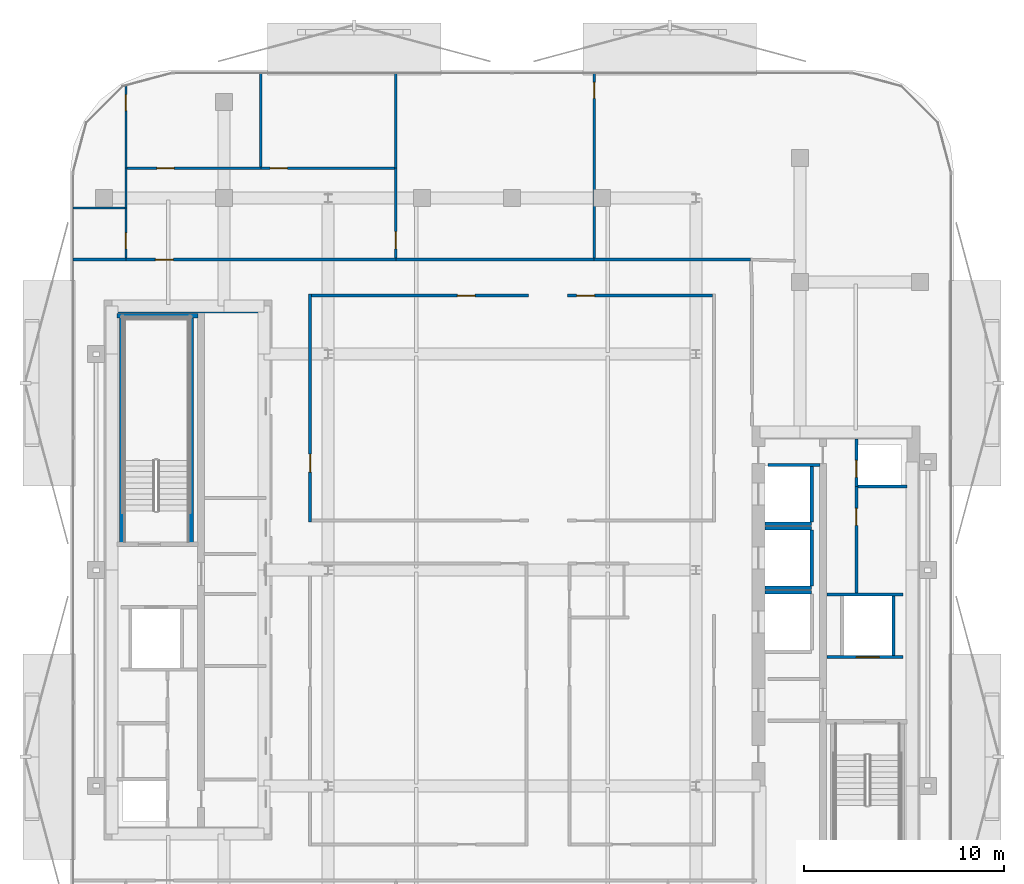
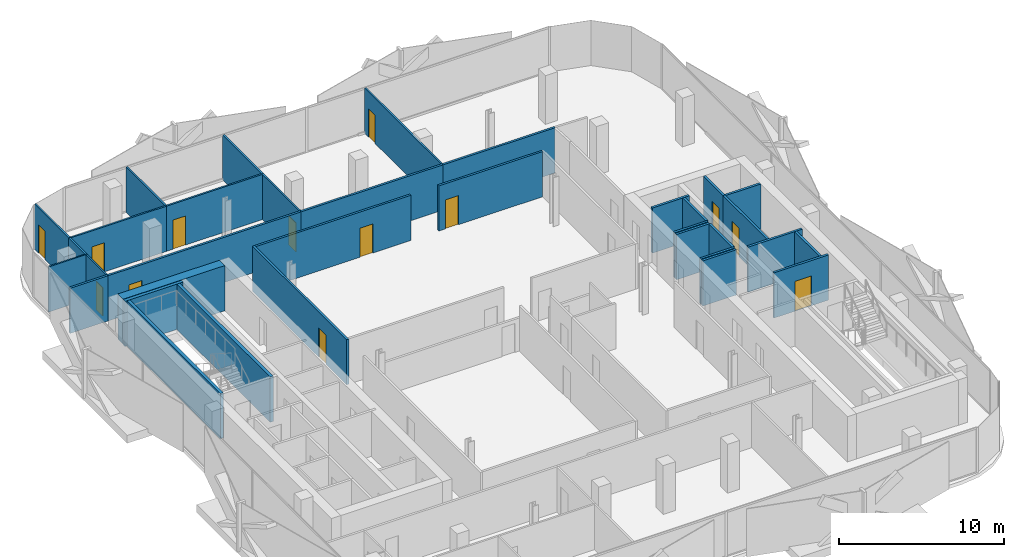
# One storey, part 5 of 14: 34 walls, 13 doors, 13 openings.
"""IFC4 building model written with IfcOpenShell, lengths in metres."""

from ifc_helpers import new_model, si_unit, direction, frame, frame_2d, origin, place, context, subcontext, project, spatial, rectangle, extrude, material, layer, layer_set, type_object, element, fill, save


model = new_model("IFC4")

# Units and contexts
model_context = context("Model", 3, precision=1e-05, world=origin(), true_north=direction((0.0, 1.0)))
body_context = subcontext(model_context, "Body", "Model", "MODEL_VIEW")
ifc_project = project(units=[si_unit("LENGTHUNIT", "METRE"), si_unit("AREAUNIT", "SQUARE_METRE"), si_unit("VOLUMEUNIT", "CUBIC_METRE"), si_unit("PLANEANGLEUNIT", "RADIAN"), si_unit("MASSUNIT", "GRAM", prefix="KILO")], contexts=[model_context])

# Site, building, storey
site_placement = place(None, origin())
site = spatial("IfcSite", under=ifc_project, at=site_placement, CompositionType="ELEMENT")
building_placement = place(site_placement, origin())
building = spatial("IfcBuilding", under=site, at=building_placement, Name="Khairoan Windgate Tower", CompositionType="ELEMENT")
storey_placement = place(building_placement, frame((0.0, 0.0, 236.800048828125)))
storey = spatial("IfcBuildingStorey", under=building, at=storey_placement, Name="L55", CompositionType="ELEMENT", Elevation=236.800048828125)

# Wall
ifc_material_1 = material(Name="Moisture-Resistant Gypsum Partition", Category="gypsum")
ifc_layer_1 = layer(ifc_material_1, 0.10009765625, Name="Moisture-Resistant Gypsum Partition")
ifc_layer_set_1 = layer_set([ifc_layer_1], Name="Moisture-Resistant Gypsum Partition")
wall_type_1 = type_object("IfcWallType", Name="Bathroom Wet-Area Partition Wall", PredefinedType="PARTITIONING", material=ifc_layer_set_1)
wall_1_placement = place(storey_placement, frame((-21.955078125, 18.10009765625, 0.0), z_axis=(0.0, 0.0, 1.0), x_axis=(1.0, 0.0, 0.0)))
element("IfcWall", 1, at=wall_1_placement, inside=storey, type_object=wall_type_1, Name="L55 Interior Partition 036", PredefinedType="PARTITIONING", context=body_context, shape_type="SweptSolid", body=[
    extrude(rectangle(XDim=2.594970703125, YDim=0.10009765625, at=frame_2d((1.29736328125, 0.0))), origin(), (0.0, 0.0, 1.0), 3.33984375),
])

# Wall, opening, door
wall_2_placement = place(storey_placement, frame((-19.31005859375, 15.60009765625, 0.0), z_axis=(0.0, 0.0, 1.0), x_axis=(0.0, 1.0, 0.0)))
wall_2 = element("IfcWall", 2, at=wall_2_placement, inside=storey, type_object=wall_type_1, Name="L55 Interior Partition 037", PredefinedType="PARTITIONING", context=body_context, shape_type="SweptSolid", body=[
    extrude(rectangle(XDim=2.5, YDim=0.10009765625, at=frame_2d((1.25, 0.0))), origin(), (0.0, 0.0, 1.0), 3.33984375),
])
opening_1_placement = place(wall_2_placement, frame((0.4599609375, 0.0, 0.0)))
opening_1 = element("IfcOpeningElement", 3, at=opening_1_placement, cuts=wall_2, Name="Opening ID-BTH", PredefinedType="OPENING", context=body_context, shape_type="SweptSolid", body=[
    extrude(rectangle(XDim=0.800048828125, YDim=2.10009765625, at=frame_2d((0.39990234375, 1.050048828125))), frame((0.0, 0.06005859375, 0.0), z_axis=(0.0, -1.0, 0.0), x_axis=(1.0, 0.0, 0.0)), (0.0, 0.0, 1.0), 0.1201171875),
])
ifc_material_2 = material(Name="Teak Veneer Timber Leaf", Category="wood")
door_type_1 = type_object("IfcDoorType", Name="Internal Bathroom Door ID-BTH 800x2100", OperationType="NOTDEFINED", PredefinedType="DOOR", material=ifc_material_2)
door_1_placement = place(opening_1_placement, origin())
door_1 = element("IfcDoor", 4, at=door_1_placement, inside=storey, type_object=door_type_1, Name="L55 L55-32-L55-34 Door", OperationType="SINGLE_SWING_RIGHT", OverallHeight=2.10009765625, OverallWidth=0.800048828125, PredefinedType="DOOR", context=body_context, shape_type="SweptSolid", body=[
    extrude(rectangle(XDim=0.800048828125, YDim=2.10009765625, at=frame_2d((0.39990234375, 1.050048828125))), frame((0.0, 0.02490234375, 0.0), z_axis=(0.0, -1.0, 0.0), x_axis=(1.0, 0.0, 0.0)), (0.0, 0.0, 1.0), 0.050048828125),
])
fill(opening_1, door_1)

# Walls
ifc_material_3 = material(Name="Concrete C40/50", Category="concrete")
ifc_layer_2 = layer(ifc_material_3, 0.159912109375, Name="Concrete C40/50")
ifc_layer_set_2 = layer_set([ifc_layer_2], Name="Concrete C40/50")
wall_type_2 = type_object("IfcWallType", Name="Core and Hoistway Enclosure Wall", PredefinedType="STANDARD", material=ifc_layer_set_2)
wall_3_placement = place(storey_placement, frame((12.64990234375, 2.31005859375, 0.0), z_axis=(0.0, 0.0, 1.0), x_axis=(1.0, 0.0, 0.0)))
element("IfcWall", 5, at=wall_3_placement, inside=storey, type_object=wall_type_2, Name="L55 Lift PL7 Hoistway Divider S", PredefinedType="STANDARD", context=body_context, shape_type="SweptSolid", body=[
    extrude(rectangle(XDim=2.340087890625, YDim=0.159912109375, at=frame_2d((1.169921875, 0.0))), origin(), (0.0, 0.0, 1.0), 3.33984375),
])
wall_4_placement = place(storey_placement, frame((14.989990234375, 2.39990234375, 0.0), z_axis=(0.0, 0.0, 1.0), x_axis=(0.0, 1.0, 0.0)))
element("IfcWall", 6, at=wall_4_placement, inside=storey, type_object=wall_type_2, Name="L55 Lift PL7 Hoistway Back Wall", PredefinedType="STANDARD", context=body_context, shape_type="SweptSolid", body=[
    extrude(rectangle(XDim=2.800048828125, YDim=0.159912109375, at=frame_2d((1.39990234375, 0.0))), origin(), (0.0, 0.0, 1.0), 3.33984375),
])
for number, where, z_axis, x_axis, name in (
    (7, (12.64990234375, -0.889892578125, 0.0), (0.0, 0.0, 1.0), (1.0, 0.0, 0.0), "L55 Lift PL8 Hoistway Divider S"),
    (8, (12.64990234375, 2.090087890625, 0.0), (0.0, 0.0, 1.0), (1.0, 0.0, 0.0), "L55 Lift PL8 Hoistway Divider N"),
):
    element("IfcWall", number, at=place(storey_placement, frame(where, z_axis=z_axis, x_axis=x_axis)), inside=storey, type_object=wall_type_2, Name=name, PredefinedType="STANDARD", context=body_context, shape_type="SweptSolid", body=[
        extrude(rectangle(XDim=2.340087890625, YDim=0.159912109375, at=frame_2d((1.169921875, 0.0))), origin(), (0.0, 0.0, 1.0), 3.33984375),
    ])
wall_5_placement = place(storey_placement, frame((14.989990234375, -0.800048828125, 0.0), z_axis=(0.0, 0.0, 1.0), x_axis=(0.0, 1.0, 0.0)))
element("IfcWall", 9, at=wall_5_placement, inside=storey, type_object=wall_type_2, Name="L55 Lift PL8 Hoistway Back Wall", PredefinedType="STANDARD", context=body_context, shape_type="SweptSolid", body=[
    extrude(rectangle(XDim=2.800048828125, YDim=0.159912109375, at=frame_2d((1.39990234375, 0.0))), origin(), (0.0, 0.0, 1.0), 3.33984375),
])
wall_6_placement = place(storey_placement, frame((12.64990234375, -1.110107421875, 0.0), z_axis=(0.0, 0.0, 1.0), x_axis=(1.0, 0.0, 0.0)))
element("IfcWall", 10, at=wall_6_placement, inside=storey, type_object=wall_type_2, Name="L55 Lift PL9 Hoistway Divider N", PredefinedType="STANDARD", context=body_context, shape_type="SweptSolid", body=[
    extrude(rectangle(XDim=2.340087890625, YDim=0.159912109375, at=frame_2d((1.169921875, 0.0))), origin(), (0.0, 0.0, 1.0), 3.33984375),
])

# Wall, opening, door
wall_7_placement = place(storey_placement, frame((15.75, -4.360107421875, 0.0), z_axis=(0.0, 0.0, 1.0), x_axis=(1.0, 0.0, 0.0)))
wall_7 = element("IfcWall", 11, at=wall_7_placement, inside=storey, type_object=wall_type_2, Name="L55 Core Shaft Wall SW-FL1-L55", PredefinedType="STANDARD", context=body_context, shape_type="SweptSolid", body=[
    extrude(rectangle(XDim=3.800048828125, YDim=0.159912109375, at=frame_2d((1.89990234375, 0.0))), origin(), (0.0, 0.0, 1.0), 3.33984375),
])
opening_2_placement = place(wall_7_placement, frame((1.469970703125, 0.0, 0.0)))
opening_2 = element("IfcOpeningElement", 12, at=opening_2_placement, cuts=wall_7, Name="Opening LD-FL", PredefinedType="OPENING", context=body_context, shape_type="SweptSolid", body=[
    extrude(rectangle(XDim=1.14990234375, YDim=2.199951171875, at=frame_2d((0.574951171875, 1.10009765625))), frame((0.0, 0.08984375, 0.0), z_axis=(0.0, -1.0, 0.0), x_axis=(1.0, 0.0, 0.0)), (0.0, 0.0, 1.0), 0.179931640625),
])
ifc_material_4 = material(Name="Steel S355", Category="steel")
door_type_2 = type_object("IfcDoorType", Name="Firefighting Lift Sliding Landing Door LD-FL 1150x2200", OperationType="DOUBLE_DOOR_SLIDING", PredefinedType="DOOR", material=ifc_material_4)
door_2_placement = place(opening_2_placement, origin())
door_2 = element("IfcDoor", 13, at=door_2_placement, inside=storey, type_object=door_type_2, Name="L55 Firefighting Lift FL1 Landing Door", OperationType="DOUBLE_DOOR_SLIDING", OverallHeight=2.199951171875, OverallWidth=1.14990234375, PredefinedType="DOOR", context=body_context, shape_type="SweptSolid", body=[
    extrude(rectangle(XDim=1.14990234375, YDim=2.199951171875, at=frame_2d((0.574951171875, 1.10009765625))), frame((0.0, 0.02490234375, 0.0), z_axis=(0.0, -1.0, 0.0), x_axis=(1.0, 0.0, 0.0)), (0.0, 0.0, 1.0), 0.050048828125),
])
fill(opening_2, door_2)

# Walls
wall_8_placement = place(storey_placement, frame((15.75, -1.219970703125, 0.0), z_axis=(0.0, 0.0, 1.0), x_axis=(1.0, 0.0, 0.0)))
element("IfcWall", 14, at=wall_8_placement, inside=storey, type_object=wall_type_2, Name="L55 Core Shaft Wall SW-FL1T-L55", PredefinedType="STANDARD", context=body_context, shape_type="SweptSolid", body=[
    extrude(rectangle(XDim=3.800048828125, YDim=0.159912109375, at=frame_2d((1.89990234375, 0.0))), origin(), (0.0, 0.0, 1.0), 3.33984375),
])
wall_9_placement = place(storey_placement, frame((19.080078125, -4.280029296875, 0.0), z_axis=(0.0, 0.0, 1.0), x_axis=(0.0, 1.0, 0.0)))
element("IfcWall", 15, at=wall_9_placement, inside=storey, type_object=wall_type_2, Name="L55 Core Shaft Wall SW-FL1E-L55", PredefinedType="STANDARD", context=body_context, shape_type="SweptSolid", body=[
    extrude(rectangle(XDim=2.97998046875, YDim=0.159912109375, at=frame_2d((1.489990234375, 0.0))), origin(), (0.0, 0.0, 1.0), 3.33984375),
])
wall_10_placement = place(storey_placement, frame((12.800048828125, 5.25, 0.0), z_axis=(0.0, 0.0, 1.0), x_axis=(1.0, 0.0, 0.0)))
element("IfcWall", 16, at=wall_10_placement, inside=storey, type_object=wall_type_2, Name="L55 Core Shaft Wall SW-ESV-L55", PredefinedType="STANDARD", context=body_context, shape_type="SweptSolid", body=[
    extrude(rectangle(XDim=2.599853515625, YDim=0.159912109375, at=frame_2d((1.2998046875, 0.0))), origin(), (0.0, 0.0, 1.0), 3.33984375),
])
ifc_material_5 = material(Name="Gypsum Stud Partition", Category="gypsum")
ifc_layer_3 = layer(ifc_material_5, 0.1201171875, Name="Gypsum Stud Partition")
ifc_layer_set_3 = layer_set([ifc_layer_3], Name="Gypsum Stud Partition")
wall_type_3 = type_object("IfcWallType", Name="Internal Room Partition Wall", PredefinedType="PARTITIONING", material=ifc_layer_set_3)
wall_11_placement = place(storey_placement, frame((-19.31005859375, 18.10009765625, 0.0), z_axis=(0.0, 0.0, 1.0), x_axis=(0.0, 1.0, 0.0)))
element("IfcWall", 17, at=wall_11_placement, inside=storey, type_object=wall_type_3, Name="L55 Interior Partition 038", PredefinedType="PARTITIONING", context=body_context, shape_type="SweptSolid", body=[
    extrude(rectangle(XDim=2.0, YDim=0.1201171875, at=frame_2d((1.0, 0.0))), origin(), (0.0, 0.0, 1.0), 3.33984375),
])

# Wall, opening, door
wall_12_placement = place(storey_placement, frame((-19.31005859375, 20.10009765625, 0.0), z_axis=(0.0, 0.0, 1.0), x_axis=(0.0, 1.0, 0.0)))
wall_12 = element("IfcWall", 18, at=wall_12_placement, inside=storey, type_object=wall_type_3, Name="L55 Interior Partition 039", PredefinedType="PARTITIONING", context=body_context, shape_type="SweptSolid", body=[
    extrude(rectangle(XDim=4.134521484375, YDim=0.1201171875, at=frame_2d((2.0673828125, 0.0))), origin(), (0.0, 0.0, 1.0), 3.33984375),
])
opening_3_placement = place(wall_12_placement, frame((2.874755859375, 0.0, 0.0)))
opening_3 = element("IfcOpeningElement", 19, at=opening_3_placement, cuts=wall_12, Name="Opening ID-BTH", PredefinedType="OPENING", context=body_context, shape_type="SweptSolid", body=[
    extrude(rectangle(XDim=0.800048828125, YDim=2.10009765625, at=frame_2d((0.39990234375, 1.050048828125))), frame((0.0, 0.070068359375, 0.0), z_axis=(0.0, -1.0, 0.0), x_axis=(1.0, 0.0, 0.0)), (0.0, 0.0, 1.0), 0.14013671875),
])
door_3_placement = place(opening_3_placement, origin())
door_3 = element("IfcDoor", 20, at=door_3_placement, inside=storey, type_object=door_type_1, Name="L55 L55-33-L55-37 Door", OperationType="SINGLE_SWING_RIGHT", OverallHeight=2.10009765625, OverallWidth=0.800048828125, PredefinedType="DOOR", context=body_context, shape_type="SweptSolid", body=[
    extrude(rectangle(XDim=0.800048828125, YDim=2.10009765625, at=frame_2d((0.39990234375, 1.050048828125))), frame((0.0, 0.02490234375, 0.0), z_axis=(0.0, -1.0, 0.0), x_axis=(1.0, 0.0, 0.0)), (0.0, 0.0, 1.0), 0.050048828125),
])
fill(opening_3, door_3)

wall_13_placement = place(storey_placement, frame((-5.81005859375, 15.60009765625, 0.0), z_axis=(0.0, 0.0, 1.0), x_axis=(0.0, 1.0, 0.0)))
wall_13 = element("IfcWall", 21, at=wall_13_placement, inside=storey, type_object=wall_type_3, Name="L55 Interior Partition 040", PredefinedType="PARTITIONING", context=body_context, shape_type="SweptSolid", body=[
    extrude(rectangle(XDim=4.5, YDim=0.1201171875, at=frame_2d((2.25, 0.0))), origin(), (0.0, 0.0, 1.0), 3.33984375),
])
opening_4_placement = place(wall_13_placement, frame((0.4599609375, 0.0, 0.0)))
opening_4 = element("IfcOpeningElement", 22, at=opening_4_placement, cuts=wall_13, Name="Opening ID-RM", PredefinedType="OPENING", context=body_context, shape_type="SweptSolid", body=[
    extrude(rectangle(XDim=0.860107421875, YDim=2.14990234375, at=frame_2d((0.43017578125, 1.074951171875))), frame((0.0, 0.070068359375, 0.0), z_axis=(0.0, -1.0, 0.0), x_axis=(1.0, 0.0, 0.0)), (0.0, 0.0, 1.0), 0.14013671875),
])
ifc_material_6 = material(Name="Teak Veneer Timber Leaf", Category="wood")
door_type_3 = type_object("IfcDoorType", Name="Internal Bedroom and Office Door ID-RM 860x2150", OperationType="NOTDEFINED", PredefinedType="DOOR", material=ifc_material_6)
door_4_placement = place(opening_4_placement, origin())
door_4 = element("IfcDoor", 23, at=door_4_placement, inside=storey, type_object=door_type_3, Name="L55 L55-34-L55-35 Door", OperationType="SINGLE_SWING_RIGHT", OverallHeight=2.14990234375, OverallWidth=0.860107421875, PredefinedType="DOOR", context=body_context, shape_type="SweptSolid", body=[
    extrude(rectangle(XDim=0.860107421875, YDim=2.14990234375, at=frame_2d((0.43017578125, 1.074951171875))), frame((0.0, 0.02490234375, 0.0), z_axis=(0.0, -1.0, 0.0), x_axis=(1.0, 0.0, 0.0)), (0.0, 0.0, 1.0), 0.050048828125),
])
fill(opening_4, door_4)

wall_14_placement = place(storey_placement, frame((-19.25, 20.10009765625, 0.0), z_axis=(0.0, 0.0, 1.0), x_axis=(1.0, 0.0, 0.0)))
wall_14 = element("IfcWall", 24, at=wall_14_placement, inside=storey, type_object=wall_type_3, Name="L55 Interior Partition 041", PredefinedType="PARTITIONING", context=body_context, shape_type="SweptSolid", body=[
    extrude(rectangle(XDim=6.68994140625, YDim=0.1201171875, at=frame_2d((3.344970703125, 0.0))), origin(), (0.0, 0.0, 1.0), 3.33984375),
])
opening_5_placement = place(wall_14_placement, frame((1.48291015625, 0.0, 0.0)))
opening_5 = element("IfcOpeningElement", 25, at=opening_5_placement, cuts=wall_14, Name="Opening ID-RM", PredefinedType="OPENING", context=body_context, shape_type="SweptSolid", body=[
    extrude(rectangle(XDim=0.860107421875, YDim=2.14990234375, at=frame_2d((0.43017578125, 1.074951171875))), frame((0.0, 0.070068359375, 0.0), z_axis=(0.0, -1.0, 0.0), x_axis=(1.0, 0.0, 0.0)), (0.0, 0.0, 1.0), 0.14013671875),
])
door_5_placement = place(opening_5_placement, origin())
door_5 = element("IfcDoor", 26, at=door_5_placement, inside=storey, type_object=door_type_3, Name="L55 L55-34-L55-37 Door", OperationType="SINGLE_SWING_LEFT", OverallHeight=2.14990234375, OverallWidth=0.860107421875, PredefinedType="DOOR", context=body_context, shape_type="SweptSolid", body=[
    extrude(rectangle(XDim=0.860107421875, YDim=2.14990234375, at=frame_2d((0.43017578125, 1.074951171875))), frame((0.0, 0.02490234375, 0.0), z_axis=(0.0, -1.0, 0.0), x_axis=(1.0, 0.0, 0.0)), (0.0, 0.0, 1.0), 0.050048828125),
])
fill(opening_5, door_5)

wall_15_placement = place(storey_placement, frame((-12.56005859375, 20.10009765625, 0.0), z_axis=(0.0, 0.0, 1.0), x_axis=(1.0, 0.0, 0.0)))
wall_15 = element("IfcWall", 27, at=wall_15_placement, inside=storey, type_object=wall_type_3, Name="L55 Interior Partition 042", PredefinedType="PARTITIONING", context=body_context, shape_type="SweptSolid", body=[
    extrude(rectangle(XDim=6.68994140625, YDim=0.1201171875, at=frame_2d((3.344970703125, 0.0))), origin(), (0.0, 0.0, 1.0), 3.33984375),
])
opening_6_placement = place(wall_15_placement, frame((0.4599609375, 0.0, 0.0)))
opening_6 = element("IfcOpeningElement", 28, at=opening_6_placement, cuts=wall_15, Name="Opening ID-RM", PredefinedType="OPENING", context=body_context, shape_type="SweptSolid", body=[
    extrude(rectangle(XDim=0.860107421875, YDim=2.14990234375, at=frame_2d((0.43017578125, 1.074951171875))), frame((0.0, 0.070068359375, 0.0), z_axis=(0.0, -1.0, 0.0), x_axis=(1.0, 0.0, 0.0)), (0.0, 0.0, 1.0), 0.14013671875),
])
door_6_placement = place(opening_6_placement, origin())
door_6 = element("IfcDoor", 29, at=door_6_placement, inside=storey, type_object=door_type_3, Name="L55 L55-34-L55-38 Door", OperationType="SINGLE_SWING_RIGHT", OverallHeight=2.14990234375, OverallWidth=0.860107421875, PredefinedType="DOOR", context=body_context, shape_type="SweptSolid", body=[
    extrude(rectangle(XDim=0.860107421875, YDim=2.14990234375, at=frame_2d((0.43017578125, 1.074951171875))), frame((0.0, 0.02490234375, 0.0), z_axis=(0.0, -1.0, 0.0), x_axis=(1.0, 0.0, 0.0)), (0.0, 0.0, 1.0), 0.050048828125),
])
fill(opening_6, door_6)

wall_16_placement = place(storey_placement, frame((4.10498046875, 15.60009765625, 0.0), z_axis=(0.0, 0.0, 1.0), x_axis=(0.0, 1.0, 0.0)))
wall_16 = element("IfcWall", 30, at=wall_16_placement, inside=storey, type_object=wall_type_3, Name="L55 Interior Partition 043", PredefinedType="PARTITIONING", context=body_context, shape_type="SweptSolid", body=[
    extrude(rectangle(XDim=9.2548828125, YDim=0.1201171875, at=frame_2d((4.62744140625, 0.0))), origin(), (0.0, 0.0, 1.0), 3.33984375),
])
opening_7_placement = place(wall_16_placement, frame((7.9951171875, 0.0, 0.0)))
opening_7 = element("IfcOpeningElement", 31, at=opening_7_placement, cuts=wall_16, Name="Opening ID-BTH", PredefinedType="OPENING", context=body_context, shape_type="SweptSolid", body=[
    extrude(rectangle(XDim=0.800048828125, YDim=2.10009765625, at=frame_2d((0.39990234375, 1.050048828125))), frame((0.0, 0.070068359375, 0.0), z_axis=(0.0, -1.0, 0.0), x_axis=(1.0, 0.0, 0.0)), (0.0, 0.0, 1.0), 0.14013671875),
])
door_7_placement = place(opening_7_placement, origin())
door_7 = element("IfcDoor", 32, at=door_7_placement, inside=storey, type_object=door_type_1, Name="L55 L55-35-L55-36 Door", OperationType="SINGLE_SWING_RIGHT", OverallHeight=2.10009765625, OverallWidth=0.800048828125, PredefinedType="DOOR", context=body_context, shape_type="SweptSolid", body=[
    extrude(rectangle(XDim=0.800048828125, YDim=2.10009765625, at=frame_2d((0.39990234375, 1.050048828125))), frame((0.0, 0.02490234375, 0.0), z_axis=(0.0, -1.0, 0.0), x_axis=(1.0, 0.0, 0.0)), (0.0, 0.0, 1.0), 0.050048828125),
])
fill(opening_7, door_7)

# Walls
wall_17_placement = place(storey_placement, frame((-5.81005859375, 20.10009765625, 0.0), z_axis=(0.0, 0.0, 1.0), x_axis=(0.0, 1.0, 0.0)))
element("IfcWall", 33, at=wall_17_placement, inside=storey, type_object=wall_type_3, Name="L55 Interior Partition 044", PredefinedType="PARTITIONING", context=body_context, shape_type="SweptSolid", body=[
    extrude(rectangle(XDim=4.7548828125, YDim=0.1201171875, at=frame_2d((2.37744140625, 0.0))), origin(), (0.0, 0.0, 1.0), 3.33984375),
])
wall_18_placement = place(storey_placement, frame((-12.56005859375, 20.159912109375, 0.0), z_axis=(0.0, 0.0, 1.0), x_axis=(0.0, 1.0, 0.0)))
element("IfcWall", 34, at=wall_18_placement, inside=storey, type_object=wall_type_3, Name="L55 Interior Partition 046", PredefinedType="PARTITIONING", context=body_context, shape_type="SweptSolid", body=[
    extrude(rectangle(XDim=4.695068359375, YDim=0.1201171875, at=frame_2d((2.34765625, 0.0))), origin(), (0.0, 0.0, 1.0), 3.33984375),
])

# Wall, opening, door
ifc_material_7 = material(Name="Concrete C40/50", Category="concrete")
ifc_layer_4 = layer(ifc_material_7, 0.159912109375, Name="Concrete C40/50")
ifc_layer_set_4 = layer_set([ifc_layer_4], Name="Concrete C40/50")
wall_type_4 = type_object("IfcWallType", Name="Plant and Refuge Compartment Wall", PredefinedType="PARTITIONING", material=ifc_layer_set_4)
wall_19_placement = place(storey_placement, frame((17.22998046875, 4.169921875, 0.0), z_axis=(0.0, 0.0, 1.0), x_axis=(0.0, 1.0, 0.0)))
wall_19 = element("IfcWall", 35, at=wall_19_placement, inside=storey, type_object=wall_type_4, Name="L55 Interior Partition 008", PredefinedType="PARTITIONING", context=body_context, shape_type="SweptSolid", body=[
    extrude(rectangle(XDim=2.380126953125, YDim=0.159912109375, at=frame_2d((1.18994140625, 0.0))), origin(), (0.0, 0.0, 1.0), 3.33984375),
])
opening_8_placement = place(wall_19_placement, frame((0.4599609375, 0.0, 0.0)))
opening_8 = element("IfcOpeningElement", 36, at=opening_8_placement, cuts=wall_19, Name="Opening FD-SRV", PredefinedType="OPENING", context=body_context, shape_type="SweptSolid", body=[
    extrude(rectangle(XDim=0.85009765625, YDim=2.10009765625, at=frame_2d((0.425048828125, 1.050048828125))), frame((0.0, 0.08984375, 0.0), z_axis=(0.0, -1.0, 0.0), x_axis=(1.0, 0.0, 0.0)), (0.0, 0.0, 1.0), 0.179931640625),
])
ifc_material_8 = material(Name="Steel S355", Category="steel")
door_type_4 = type_object("IfcDoorType", Name="Core Service and Riser Fire Door FD-SRV 850x2100", OperationType="NOTDEFINED", PredefinedType="DOOR", material=ifc_material_8)
door_8_placement = place(opening_8_placement, origin())
door_8 = element("IfcDoor", 37, at=door_8_placement, inside=storey, type_object=door_type_4, Name="L55 L55-17-L55-18 Door", OperationType="SINGLE_SWING_LEFT", OverallHeight=2.10009765625, OverallWidth=0.85009765625, PredefinedType="DOOR", context=body_context, shape_type="SweptSolid", body=[
    extrude(rectangle(XDim=0.85009765625, YDim=2.10009765625, at=frame_2d((0.425048828125, 1.050048828125))), frame((0.0, 0.02490234375, 0.0), z_axis=(0.0, -1.0, 0.0), x_axis=(1.0, 0.0, 0.0)), (0.0, 0.0, 1.0), 0.050048828125),
])
fill(opening_8, door_8)

wall_20_placement = place(storey_placement, frame((17.22998046875, -1.139892578125, 0.0), z_axis=(0.0, 0.0, 1.0), x_axis=(0.0, 1.0, 0.0)))
wall_20 = element("IfcWall", 38, at=wall_20_placement, inside=storey, type_object=wall_type_4, Name="L55 Interior Partition 009", PredefinedType="PARTITIONING", context=body_context, shape_type="SweptSolid", body=[
    extrude(rectangle(XDim=5.309814453125, YDim=0.159912109375, at=frame_2d((2.65478515625, 0.0))), origin(), (0.0, 0.0, 1.0), 3.33984375),
])
opening_9_placement = place(wall_20_placement, frame((3.375244140625, 0.0, 0.0)))
opening_9 = element("IfcOpeningElement", 39, at=opening_9_placement, cuts=wall_20, Name="Opening FD-SRV", PredefinedType="OPENING", context=body_context, shape_type="SweptSolid", body=[
    extrude(rectangle(XDim=0.85009765625, YDim=2.10009765625, at=frame_2d((0.425048828125, 1.050048828125))), frame((0.0, 0.08984375, 0.0), z_axis=(0.0, -1.0, 0.0), x_axis=(1.0, 0.0, 0.0)), (0.0, 0.0, 1.0), 0.179931640625),
])
door_9_placement = place(opening_9_placement, origin())
door_9 = element("IfcDoor", 40, at=door_9_placement, inside=storey, type_object=door_type_4, Name="L55 L55-17-L55-19 Door", OperationType="SINGLE_SWING_RIGHT", OverallHeight=2.10009765625, OverallWidth=0.85009765625, PredefinedType="DOOR", context=body_context, shape_type="SweptSolid", body=[
    extrude(rectangle(XDim=0.85009765625, YDim=2.10009765625, at=frame_2d((0.425048828125, 1.050048828125))), frame((0.0, 0.02490234375, 0.0), z_axis=(0.0, -1.0, 0.0), x_axis=(1.0, 0.0, 0.0)), (0.0, 0.0, 1.0), 0.050048828125),
])
fill(opening_9, door_9)

# Wall
wall_21_placement = place(storey_placement, frame((17.31005859375, 4.169921875, 0.0), z_axis=(0.0, 0.0, 1.0), x_axis=(1.0, 0.0, 0.0)))
element("IfcWall", 41, at=wall_21_placement, inside=storey, type_object=wall_type_4, Name="L55 Interior Partition 010", PredefinedType="PARTITIONING", context=body_context, shape_type="SweptSolid", body=[
    extrude(rectangle(XDim=2.43994140625, YDim=0.159912109375, at=frame_2d((1.219970703125, 0.0))), origin(), (0.0, 0.0, 1.0), 3.33984375),
])

# Wall, opening, door
ifc_material_9 = material(Name="Acoustic Fire-Rated Gypsum Partition", Category="gypsum")
ifc_layer_5 = layer(ifc_material_9, 0.14990234375, Name="Acoustic Fire-Rated Gypsum Partition")
ifc_layer_set_5 = layer_set([ifc_layer_5], Name="Acoustic Fire-Rated Gypsum Partition")
wall_type_5 = type_object("IfcWallType", Name="Rated Corridor Partition Wall", PredefinedType="PARTITIONING", material=ifc_layer_set_5)
wall_22_placement = place(storey_placement, frame((-10.10009765625, 2.389892578125, 0.0), z_axis=(0.0, 0.0, 1.0), x_axis=(0.0, 1.0, 0.0)))
wall_22 = element("IfcWall", 42, at=wall_22_placement, inside=storey, type_object=wall_type_5, Name="L55 Interior Partition 011", PredefinedType="PARTITIONING", context=body_context, shape_type="SweptSolid", body=[
    extrude(rectangle(XDim=11.405029296875, YDim=0.14990234375, at=frame_2d((5.70263671875, 0.0))), origin(), (0.0, 0.0, 1.0), 3.33984375),
])
opening_10_placement = place(wall_22_placement, frame((2.49951171875, 0.0, 0.0)))
opening_10 = element("IfcOpeningElement", 43, at=opening_10_placement, cuts=wall_22, Name="Opening FD-ENT", PredefinedType="OPENING", context=body_context, shape_type="SweptSolid", body=[
    extrude(rectangle(XDim=0.89990234375, YDim=2.14990234375, at=frame_2d((0.449951171875, 1.074951171875))), frame((0.0, 0.0849609375, 0.0), z_axis=(0.0, -1.0, 0.0), x_axis=(1.0, 0.0, 0.0)), (0.0, 0.0, 1.0), 0.169921875),
])
ifc_material_10 = material(Name="Timber Fire-Rated Core", Category="wood")
door_type_5 = type_object("IfcDoorType", Name="Unit and Office Fire Entrance Door FD-ENT 900x2150", OperationType="NOTDEFINED", PredefinedType="DOOR", material=ifc_material_10)
door_10_placement = place(opening_10_placement, origin())
door_10 = element("IfcDoor", 44, at=door_10_placement, inside=storey, type_object=door_type_5, Name="L55 L55-26-L55-47 Door", OperationType="SINGLE_SWING_LEFT", OverallHeight=2.14990234375, OverallWidth=0.89990234375, PredefinedType="DOOR", context=body_context, shape_type="SweptSolid", body=[
    extrude(rectangle(XDim=0.89990234375, YDim=2.14990234375, at=frame_2d((0.449951171875, 1.074951171875))), frame((0.0, 0.02490234375, 0.0), z_axis=(0.0, -1.0, 0.0), x_axis=(1.0, 0.0, 0.0)), (0.0, 0.0, 1.0), 0.050048828125),
])
fill(opening_10, door_10)

# Wall
wall_23_placement = place(storey_placement, frame((-21.955078125, 15.52490234375, 0.0), z_axis=(0.0, 0.0, 1.0), x_axis=(1.0, 0.0, 0.0)))
element("IfcWall", 45, at=wall_23_placement, inside=storey, type_object=wall_type_5, Name="L55 Interior Partition 023", PredefinedType="PARTITIONING", context=body_context, shape_type="SweptSolid", body=[
    extrude(rectangle(XDim=2.64501953125, YDim=0.14990234375, at=frame_2d((1.322509765625, 0.0))), origin(), (0.0, 0.0, 1.0), 3.33984375),
])

# Wall, opening, door
wall_24_placement = place(storey_placement, frame((-19.31005859375, 15.52490234375, 0.0), z_axis=(0.0, 0.0, 1.0), x_axis=(1.0, 0.0, 0.0)))
wall_24 = element("IfcWall", 46, at=wall_24_placement, inside=storey, type_object=wall_type_5, Name="L55 Interior Partition 024", PredefinedType="PARTITIONING", context=body_context, shape_type="SweptSolid", body=[
    extrude(rectangle(XDim=13.5, YDim=0.14990234375, at=frame_2d((6.75, 0.0))), origin(), (0.0, 0.0, 1.0), 3.33984375),
])
opening_11_placement = place(wall_24_placement, frame((1.466796875, 0.0, 0.0)))
opening_11 = element("IfcOpeningElement", 47, at=opening_11_placement, cuts=wall_24, Name="Opening FD-ENT", PredefinedType="OPENING", context=body_context, shape_type="SweptSolid", body=[
    extrude(rectangle(XDim=0.89990234375, YDim=2.14990234375, at=frame_2d((0.449951171875, 1.074951171875))), frame((0.0, 0.0849609375, 0.0), z_axis=(0.0, -1.0, 0.0), x_axis=(1.0, 0.0, 0.0)), (0.0, 0.0, 1.0), 0.169921875),
])
door_11_placement = place(opening_11_placement, origin())
door_11 = element("IfcDoor", 48, at=door_11_placement, inside=storey, type_object=door_type_5, Name="L55 L55-30-L55-34 Door", OperationType="SINGLE_SWING_LEFT", OverallHeight=2.14990234375, OverallWidth=0.89990234375, PredefinedType="DOOR", context=body_context, shape_type="SweptSolid", body=[
    extrude(rectangle(XDim=0.89990234375, YDim=2.14990234375, at=frame_2d((0.449951171875, 1.074951171875))), frame((0.0, 0.02490234375, 0.0), z_axis=(0.0, -1.0, 0.0), x_axis=(1.0, 0.0, 0.0)), (0.0, 0.0, 1.0), 0.050048828125),
])
fill(opening_11, door_11)

# Walls
wall_25_placement = place(storey_placement, frame((-5.81005859375, 15.52490234375, 0.0), z_axis=(0.0, 0.0, 1.0), x_axis=(1.0, 0.0, 0.0)))
element("IfcWall", 49, at=wall_25_placement, inside=storey, type_object=wall_type_5, Name="L55 Interior Partition 025", PredefinedType="PARTITIONING", context=body_context, shape_type="SweptSolid", body=[
    extrude(rectangle(XDim=9.9150390625, YDim=0.14990234375, at=frame_2d((4.95751953125, 0.0))), origin(), (0.0, 0.0, 1.0), 3.33984375),
])
wall_26_placement = place(storey_placement, frame((4.10498046875, 15.52490234375, 0.0), z_axis=(0.0, 0.0, 1.0), x_axis=(1.0, 0.0, 0.0)))
element("IfcWall", 50, at=wall_26_placement, inside=storey, type_object=wall_type_5, Name="L55 Interior Partition 026", PredefinedType="PARTITIONING", context=body_context, shape_type="SweptSolid", body=[
    extrude(rectangle(XDim=7.8349609375, YDim=0.14990234375, at=frame_2d((3.91748046875, 0.0))), origin(), (0.0, 0.0, 1.0), 3.33984375),
])

# Wall, opening, door
wall_27_placement = place(storey_placement, frame((-10.02490234375, 13.719970703125, 0.0), z_axis=(0.0, 0.0, 1.0), x_axis=(1.0, 0.0, 0.0)))
wall_27 = element("IfcWall", 51, at=wall_27_placement, inside=storey, type_object=wall_type_5, Name="L55 Interior Partition 028", PredefinedType="PARTITIONING", context=body_context, shape_type="SweptSolid", body=[
    extrude(rectangle(XDim=10.85498046875, YDim=0.14990234375, at=frame_2d((5.427490234375, 0.0))), origin(), (0.0, 0.0, 1.0), 3.33984375),
])
opening_12_placement = place(wall_27_placement, frame((7.286376953125, 0.0, 0.0)))
opening_12 = element("IfcOpeningElement", 52, at=opening_12_placement, cuts=wall_27, Name="Opening FD-ENT", PredefinedType="OPENING", context=body_context, shape_type="SweptSolid", body=[
    extrude(rectangle(XDim=0.89990234375, YDim=2.14990234375, at=frame_2d((0.449951171875, 1.074951171875))), frame((0.0, 0.0849609375, 0.0), z_axis=(0.0, -1.0, 0.0), x_axis=(1.0, 0.0, 0.0)), (0.0, 0.0, 1.0), 0.169921875),
])
door_12_placement = place(opening_12_placement, origin())
door_12 = element("IfcDoor", 53, at=door_12_placement, inside=storey, type_object=door_type_5, Name="L55 L55-30-L55-47 Door", OperationType="SINGLE_SWING_LEFT", OverallHeight=2.14990234375, OverallWidth=0.89990234375, PredefinedType="DOOR", context=body_context, shape_type="SweptSolid", body=[
    extrude(rectangle(XDim=0.89990234375, YDim=2.14990234375, at=frame_2d((0.449951171875, 1.074951171875))), frame((0.0, 0.02490234375, 0.0), z_axis=(0.0, -1.0, 0.0), x_axis=(1.0, 0.0, 0.0)), (0.0, 0.0, 1.0), 0.050048828125),
])
fill(opening_12, door_12)

wall_28_placement = place(storey_placement, frame((2.77001953125, 13.719970703125, 0.0), z_axis=(0.0, 0.0, 1.0), x_axis=(1.0, 0.0, 0.0)))
wall_28 = element("IfcWall", 54, at=wall_28_placement, inside=storey, type_object=wall_type_5, Name="L55 Interior Partition 029", PredefinedType="PARTITIONING", context=body_context, shape_type="SweptSolid", body=[
    extrude(rectangle(XDim=7.2548828125, YDim=0.14990234375, at=frame_2d((3.62744140625, 0.0))), origin(), (0.0, 0.0, 1.0), 3.33984375),
])
opening_13_placement = place(wall_28_placement, frame((0.4599609375, 0.0, 0.0)))
opening_13 = element("IfcOpeningElement", 55, at=opening_13_placement, cuts=wall_28, Name="Opening FD-ENT", PredefinedType="OPENING", context=body_context, shape_type="SweptSolid", body=[
    extrude(rectangle(XDim=0.89990234375, YDim=2.14990234375, at=frame_2d((0.449951171875, 1.074951171875))), frame((0.0, 0.0849609375, 0.0), z_axis=(0.0, -1.0, 0.0), x_axis=(1.0, 0.0, 0.0)), (0.0, 0.0, 1.0), 0.169921875),
])
door_13_placement = place(opening_13_placement, origin())
door_13 = element("IfcDoor", 56, at=door_13_placement, inside=storey, type_object=door_type_5, Name="L55 L55-30-L55-49 Door", OperationType="SINGLE_SWING_RIGHT", OverallHeight=2.14990234375, OverallWidth=0.89990234375, PredefinedType="DOOR", context=body_context, shape_type="SweptSolid", body=[
    extrude(rectangle(XDim=0.89990234375, YDim=2.14990234375, at=frame_2d((0.449951171875, 1.074951171875))), frame((0.0, 0.02490234375, 0.0), z_axis=(0.0, -1.0, 0.0), x_axis=(1.0, 0.0, 0.0)), (0.0, 0.0, 1.0), 0.050048828125),
])
fill(opening_13, door_13)

# Walls
ifc_material_11 = material(Name="Concrete C60/75", Category="concrete")
ifc_layer_6 = layer(ifc_material_11, 0.64990234375, Name="Concrete C60/75")
ifc_layer_set_6 = layer_set([ifc_layer_6], Name="Concrete C60/75")
wall_type_6 = type_object("IfcWallType", Name="Shear Wall CW-W2 650mm", PredefinedType="SHEAR", material=ifc_layer_set_6)
wall_29_placement = place(storey_placement, frame((-19.75, 13.175048828125, 0.0), z_axis=(0.0, 0.0, 1.0), x_axis=(1.0, 0.0, 0.0)))
element("IfcWall", 57, at=wall_29_placement, inside=storey, type_object=wall_type_6, Name="W Core North Shear Wall L55", PredefinedType="SHEAR", context=body_context, shape_type="SweptSolid", body=[
    extrude(rectangle(XDim=7.10009765625, YDim=0.64990234375, at=frame_2d((3.550048828125, 0.0))), origin(), (0.0, 0.0, 1.0), 3.33984375),
])
ifc_material_12 = material(Name="Concrete C50/60", Category="concrete")
ifc_layer_7 = layer(ifc_material_12, 0.219970703125, Name="Concrete C50/60")
ifc_layer_set_7 = layer_set([ifc_layer_7], Name="Concrete C50/60")
wall_type_7 = type_object("IfcWallType", Name="Shear Wall SW-ST 220mm", PredefinedType="SHEAR", material=ifc_layer_set_7)
for number, where, z_axis, x_axis, name in (
    (58, (-16.0400390625, 1.2900390625, 0.0), (0.0, 0.0, 1.0), (0.0, 1.0, 0.0), "L55 Stair ST2 East Bearing Wall"),
    (59, (-19.530029296875, 1.2900390625, 0.0), (0.0, 0.0, 1.0), (0.0, 1.0, 0.0), "L55 Stair ST2 West Bearing Wall"),
):
    element("IfcWall", number, at=place(storey_placement, frame(where, z_axis=z_axis, x_axis=x_axis)), inside=storey, type_object=wall_type_7, Name=name, PredefinedType="SHEAR", context=body_context, shape_type="SweptSolid", body=[
        extrude(rectangle(XDim=11.419921875, YDim=0.219970703125, at=frame_2d((5.7099609375, 0.0))), origin(), (0.0, 0.0, 1.0), 3.33984375),
    ])
wall_30_placement = place(storey_placement, frame((-19.77001953125, 12.7099609375, 0.0), z_axis=(0.0, 0.0, 1.0), x_axis=(1.0, 0.0, 0.0)))
element("IfcWall", 60, at=wall_30_placement, inside=storey, type_object=wall_type_7, Name="L55 Stair ST2 North Bearing Wall", PredefinedType="SHEAR", context=body_context, shape_type="SweptSolid", body=[
    extrude(rectangle(XDim=4.06494140625, YDim=0.219970703125, at=frame_2d((2.032470703125, 0.0))), origin(), (0.0, 0.0, 1.0), 3.33984375),
])

save(model, "model.ifc")
